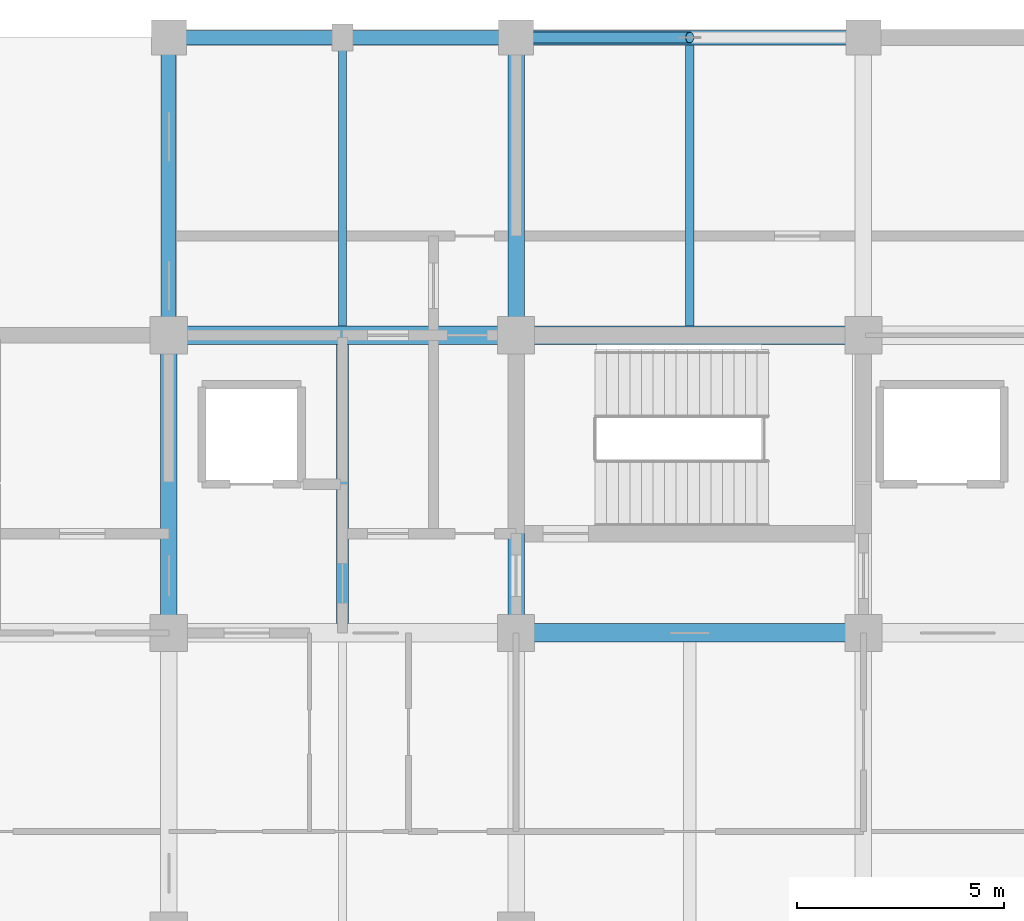
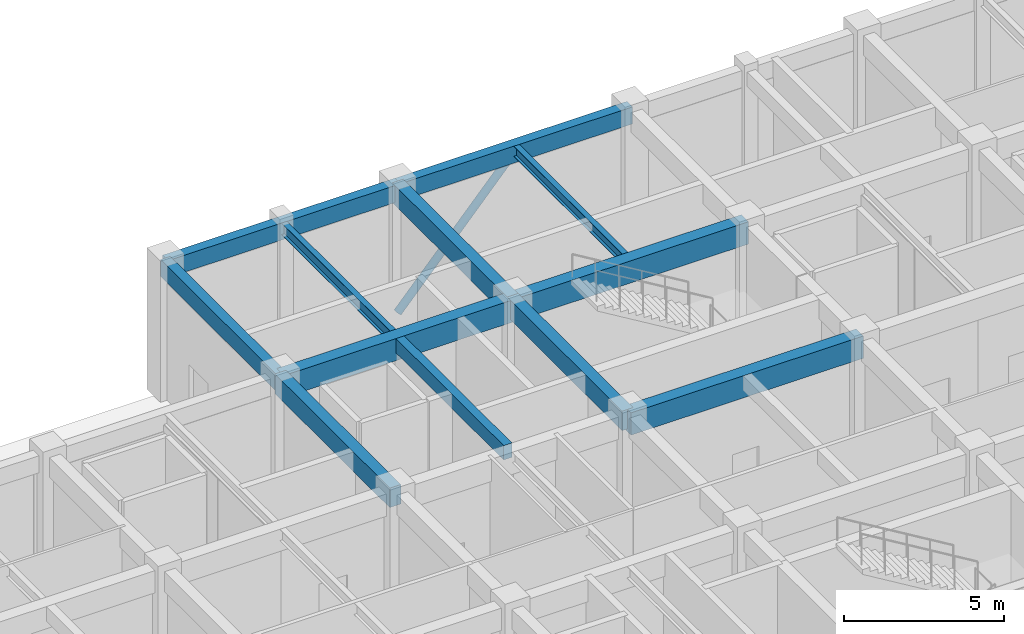
# One storey, part 19 of 73: 12 beams, 1 member.
"""IFC4 building model written with IfcOpenShell, lengths in metres."""

from ifc_helpers import new_model, si_unit, direction, frame, origin, origin_2d, place, context, subcontext, project, spatial, rectangle, hollow_circle, i_section, extrude, material, material_profile, profile_set, type_object, element, save


model = new_model("IFC4")

# Units and contexts
model_context = context("Model", 3, precision=1e-05, world=origin(), true_north=direction((0.0, 1.0)))
body_context = subcontext(model_context, "Body", "Model", "MODEL_VIEW")
ifc_project = project(units=[si_unit("LENGTHUNIT", "METRE"), si_unit("AREAUNIT", "SQUARE_METRE"), si_unit("VOLUMEUNIT", "CUBIC_METRE"), si_unit("PLANEANGLEUNIT", "RADIAN"), si_unit("MASSUNIT", "GRAM", prefix="KILO")], contexts=[model_context])

# Site, building, storey
site_placement = place(None, origin())
site = spatial("IfcSite", under=ifc_project, at=site_placement, CompositionType="ELEMENT")
building_placement = place(site_placement, origin())
building = spatial("IfcBuilding", under=site, at=building_placement, Name="Chengyuan Square Courthouse", CompositionType="ELEMENT")
storey_placement = place(building_placement, origin())
storey = spatial("IfcBuildingStorey", under=building, at=storey_placement, Name="L01", CompositionType="ELEMENT", Elevation=0.0)

# Beams
ifc_material_1 = material(Name="Concrete C40", Category="concrete")
ifc_material_profile_1 = material_profile(ifc_material_1, rectangle(XDim=0.449951171875, YDim=0.85009765625, at=origin_2d()), Name="RC-BM-450x850")
ifc_profile_set_1 = profile_set([ifc_material_profile_1], Name="Concrete C40")
beam_type_1 = type_object("IfcBeamType", Name="BM-01", PredefinedType="USERDEFINED", material=ifc_profile_set_1)
beam_1_placement = place(storey_placement, frame((58.800048828125, 100.800048828125, 4.695068359375), z_axis=(1.0, 0.0, 0.0), x_axis=(0.0, 1.0, 0.0)))
element("IfcBeam", 1, at=beam_1_placement, inside=storey, type_object=beam_type_1, Name="Girder BM-L01-1756", ObjectType="GIRDER", PredefinedType="USERDEFINED", context=body_context, shape_type="SweptSolid", body=[
    extrude(rectangle(XDim=0.449951171875, YDim=0.85009765625, at=origin_2d()), origin(), (0.0, 0.0, 1.0), 8.39990234375),
])
beam_2_placement = place(storey_placement, frame((50.39990234375, 108.0, 4.695068359375), z_axis=(1.0, 0.0, 0.0), x_axis=(0.0, 1.0, 0.0)))
element("IfcBeam", 2, at=beam_2_placement, inside=storey, type_object=beam_type_1, Name="Girder BM-L01-1775", ObjectType="GIRDER", PredefinedType="USERDEFINED", context=body_context, shape_type="SweptSolid", body=[
    extrude(rectangle(XDim=0.449951171875, YDim=0.85009765625, at=origin_2d()), origin(), (0.0, 0.0, 1.0), 8.400146484375),
])
beam_3_placement = place(storey_placement, frame((58.800048828125, 108.0, 4.695068359375), z_axis=(1.0, 0.0, 0.0), x_axis=(0.0, 1.0, 0.0)))
element("IfcBeam", 3, at=beam_3_placement, inside=storey, type_object=beam_type_1, Name="Girder BM-L01-1776", ObjectType="GIRDER", PredefinedType="USERDEFINED", context=body_context, shape_type="SweptSolid", body=[
    extrude(rectangle(XDim=0.449951171875, YDim=0.85009765625, at=origin_2d()), origin(), (0.0, 0.0, 1.0), 8.39990234375),
])
ifc_material_profile_2 = material_profile(ifc_material_1, rectangle(XDim=0.39990234375, YDim=0.75, at=origin_2d()), Name="RC-BM-400x750")
ifc_profile_set_2 = profile_set([ifc_material_profile_2], Name="Concrete C40")
beam_type_2 = type_object("IfcBeamType", Name="BM-02", PredefinedType="USERDEFINED", material=ifc_profile_set_2)
for number, where, z_axis, x_axis, name in (
    (4, (50.39990234375, 100.800048828125, 4.7451171875), (0.0, 1.0, 0.0), (-1.0, 0.0, 0.0), "Girder BM-L01-1857"),
    (5, (58.800048828125, 100.800048828125, 4.7451171875), (0.0, 1.0, 0.0), (-1.0, 0.0, 0.0), "Girder BM-L01-1862"),
    (6, (58.800048828125, 108.0, 4.7451171875), (0.0, 1.0, 0.0), (-1.0, 0.0, 0.0), "Girder BM-L01-1863"),
):
    element("IfcBeam", number, at=place(storey_placement, frame(where, z_axis=z_axis, x_axis=x_axis)), inside=storey, type_object=beam_type_2, Name=name, ObjectType="GIRDER", PredefinedType="USERDEFINED", context=body_context, shape_type="SweptSolid", body=[
        extrude(rectangle(XDim=0.39990234375, YDim=0.75, at=origin_2d()), origin(), (0.0, 0.0, 1.0), 7.199951171875),
    ])
ifc_material_profile_3 = material_profile(ifc_material_1, rectangle(XDim=0.35009765625, YDim=0.64990234375, at=origin_2d()), Name="RC-BM-350x650")
ifc_profile_set_3 = profile_set([ifc_material_profile_3], Name="Concrete C40")
beam_type_3 = type_object("IfcBeamType", Name="BM-03", PredefinedType="SPANDREL", material=ifc_profile_set_3)
beam_4_placement = place(storey_placement, frame((50.39990234375, 115.199951171875, 4.794921875), z_axis=(1.0, 0.0, 0.0), x_axis=(0.0, 1.0, 0.0)))
element("IfcBeam", 7, at=beam_4_placement, inside=storey, type_object=beam_type_3, Name="Girder BM-L01-1789", PredefinedType="SPANDREL", context=body_context, shape_type="SweptSolid", body=[
    extrude(rectangle(XDim=0.35009765625, YDim=0.64990234375, at=origin_2d()), origin(), (0.0, 0.0, 1.0), 8.400146484375),
])
beam_5_placement = place(storey_placement, frame((58.800048828125, 115.199951171875, 4.794921875), z_axis=(1.0, 0.0, 0.0), x_axis=(0.0, 1.0, 0.0)))
element("IfcBeam", 8, at=beam_5_placement, inside=storey, type_object=beam_type_3, Name="Girder BM-L01-1790", PredefinedType="SPANDREL", context=body_context, shape_type="SweptSolid", body=[
    extrude(rectangle(XDim=0.35009765625, YDim=0.64990234375, at=origin_2d()), origin(), (0.0, 0.0, 1.0), 8.39990234375),
])
beam_6_placement = place(storey_placement, frame((50.39990234375, 108.0, 4.794921875), z_axis=(0.0, 1.0, 0.0), x_axis=(-1.0, 0.0, 0.0)))
element("IfcBeam", 9, at=beam_6_placement, inside=storey, type_object=beam_type_3, Name="Girder BM-L01-1858", PredefinedType="SPANDREL", context=body_context, shape_type="SweptSolid", body=[
    extrude(rectangle(XDim=0.35009765625, YDim=0.64990234375, at=origin_2d()), origin(), (0.0, 0.0, 1.0), 7.199951171875),
])
ifc_material_profile_4 = material_profile(ifc_material_1, rectangle(XDim=0.300048828125, YDim=0.550048828125, at=origin_2d()), Name="RC-BM-300x550")
ifc_profile_set_4 = profile_set([ifc_material_profile_4], Name="Concrete C40")
beam_type_4 = type_object("IfcBeamType", Name="BM-04", PredefinedType="BEAM", material=ifc_profile_set_4)
beam_7_placement = place(storey_placement, frame((54.60009765625, 101.02490234375, 4.844970703125), z_axis=(0.0, 1.0, 0.0), x_axis=(-1.0, 0.0, 0.0)))
element("IfcBeam", 10, at=beam_7_placement, inside=storey, type_object=beam_type_4, Name="Secondary Floor Beam SBM-L01-2003", PredefinedType="BEAM", context=body_context, shape_type="SweptSolid", body=[
    extrude(rectangle(XDim=0.300048828125, YDim=0.550048828125, at=origin_2d()), origin(), (0.0, 0.0, 1.0), 6.75),
])
ifc_material_2 = material(Name="Steel Q355B", Category="steel")
ifc_material_profile_5 = material_profile(ifc_material_2, i_section(OverallWidth=0.199951171875, OverallDepth=0.449951171875, WebThickness=0.009033203125, FlangeThickness=0.013916015625, at=origin_2d()), Name="HN 450x200x9x14")
ifc_profile_set_5 = profile_set([ifc_material_profile_5], Name="Steel Q355B")
beam_type_5 = type_object("IfcBeamType", Name="BM-06", PredefinedType="BEAM", material=ifc_profile_set_5)
beam_8_placement = place(storey_placement, frame((54.60009765625, 108.22509765625, 4.89501953125), z_axis=(0.0, 1.0, 0.0), x_axis=(-1.0, 0.0, 0.0)))
element("IfcBeam", 11, at=beam_8_placement, inside=storey, type_object=beam_type_5, Name="Secondary Floor Beam SBM-L01-2004", PredefinedType="BEAM", context=body_context, shape_type="SweptSolid", body=[
    extrude(i_section(OverallWidth=0.199951171875, OverallDepth=0.449951171875, WebThickness=0.009033203125, FlangeThickness=0.013916015625, at=origin_2d()), origin(), (0.0, 0.0, 1.0), 6.7998046875),
])
ifc_material_profile_6 = material_profile(ifc_material_2, i_section(OverallWidth=0.199951171875, OverallDepth=0.39990234375, WebThickness=0.008056640625, FlangeThickness=0.012939453125, at=origin_2d()), Name="HN 400x200x8x13")
ifc_profile_set_6 = profile_set([ifc_material_profile_6], Name="Steel Q355B")
beam_type_6 = type_object("IfcBeamType", Name="BM-07", PredefinedType="BEAM", material=ifc_profile_set_6)
beam_9_placement = place(storey_placement, frame((63.0, 108.22509765625, 4.919921875), z_axis=(0.0, 1.0, 0.0), x_axis=(-1.0, 0.0, 0.0)))
element("IfcBeam", 12, at=beam_9_placement, inside=storey, type_object=beam_type_6, Name="Secondary Floor Beam SBM-L01-2007", PredefinedType="BEAM", context=body_context, shape_type="SweptSolid", body=[
    extrude(i_section(OverallWidth=0.199951171875, OverallDepth=0.39990234375, WebThickness=0.008056640625, FlangeThickness=0.012939453125, at=origin_2d()), origin(), (0.0, 0.0, 1.0), 6.7998046875),
])

# Member
ifc_material_profile_7 = material_profile(ifc_material_2, hollow_circle(Radius=0.136474609375, WallThickness=0.010009765625, at=origin_2d()), Name="CHS 273x10")
ifc_profile_set_7 = profile_set([ifc_material_profile_7], Name="Steel Q355B")
member_type = type_object("IfcMemberType", Name="BR-01", PredefinedType="BRACE", material=ifc_profile_set_7)
member_placement = place(storey_placement, frame((58.800048828125, 115.199951171875, 0.10009765625), z_axis=(0.668702684729, 0.0, 0.743529904871), x_axis=(0.0, 1.0, 0.0)))
element("IfcMember", 13, at=member_placement, inside=storey, type_object=member_type, Name="Steel Chevron Brace BR-L01-001", PredefinedType="BRACE", context=body_context, shape_type="SweptSolid", body=[
    extrude(hollow_circle(Radius=0.136474609375, WallThickness=0.010009765625, at=origin_2d()), origin(), (0.0, 0.0, 1.0), 6.28076171875),
])

save(model, "model.ifc")
